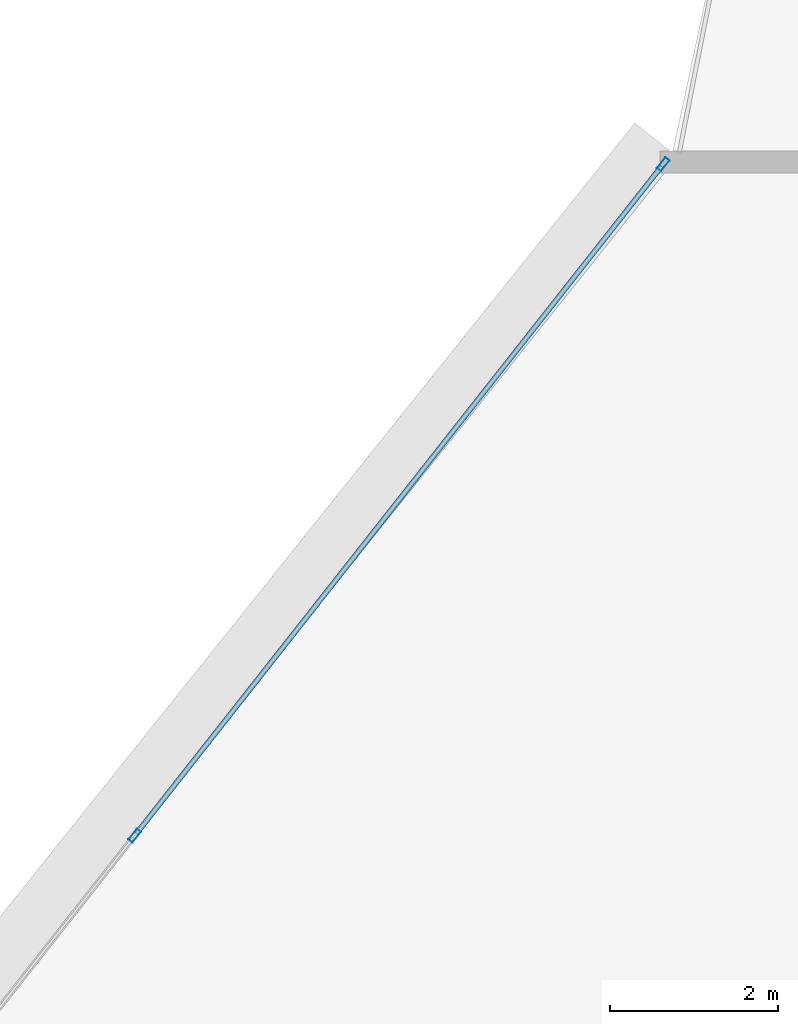
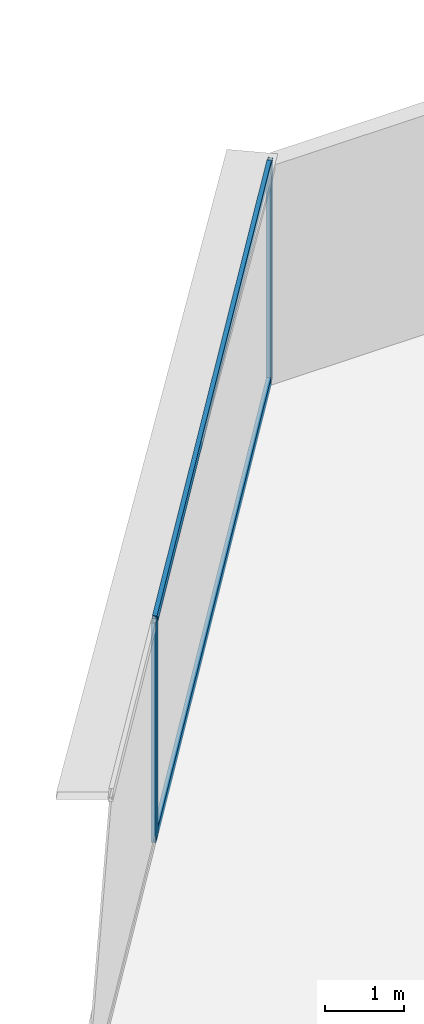
# One storey, part 25 of 38: 4 members, 1 element without a shape of its own.
"""IFC4 building model written with IfcOpenShell, lengths in metres."""

from ifc_helpers import new_model, si_unit, direction, frame, origin, origin_2d, place, context, subcontext, project, spatial, hollow_rectangle, extrude, source, transform, mapped, material, layer, layer_set, material_profile, profile_set, type_object, element, aggregate, save


model = new_model("IFC4")

# Units and contexts
model_context = context("Model", 3, precision=1e-05, world=origin(), true_north=direction((0.0, 1.0)))
body_context = subcontext(model_context, "Body", "Model", "MODEL_VIEW")
ifc_project = project(units=[si_unit("LENGTHUNIT", "METRE"), si_unit("AREAUNIT", "SQUARE_METRE"), si_unit("VOLUMEUNIT", "CUBIC_METRE"), si_unit("PLANEANGLEUNIT", "RADIAN"), si_unit("MASSUNIT", "GRAM", prefix="KILO"), si_unit("THERMODYNAMICTEMPERATUREUNIT", "KELVIN"), si_unit("POWERUNIT", "WATT")], contexts=[model_context])

# Site, building, storey
site_placement = place(None, origin())
site = spatial("IfcSite", under=ifc_project, at=site_placement, CompositionType="ELEMENT")
building_placement = place(site_placement, origin())
building = spatial("IfcBuilding", under=site, at=building_placement, Name="Yunzhuo Pagoda Commons", CompositionType="ELEMENT")
storey_placement = place(building_placement, frame((0.0, 0.0, 34.030029296875)))
storey = spatial("IfcBuildingStorey", under=building, at=storey_placement, Name="L08", CompositionType="ELEMENT", Elevation=34.030029296875)

# Curtain wall, members
ifc_material = material(Name="Anodized aluminium 6063-T6", Category="aluminium")
ifc_layer = layer(ifc_material, 0.1650390625)
ifc_layer_set = layer_set([ifc_layer], Name="Anodized aluminium 6063-T6")
curtain_wall_type = type_object("IfcCurtainWallType", Name="CW-LOW Low-Zone Ribbon Curtain Wall", PredefinedType="NOTDEFINED", material=ifc_layer_set)
curtain_wall_placement = place(storey_placement, origin())
curtain_wall = element("IfcCurtainWall", 1, at=curtain_wall_placement, inside=storey, type_object=curtain_wall_type, Name="L08 curtain wall CW-L08-F3B1", PredefinedType="NOTDEFINED")
ifc_material_profile_1 = material_profile(ifc_material, hollow_rectangle(XDim=0.06005859375, YDim=0.139892578125, WallThickness=0.00341796875, at=origin_2d()), Name="Anodized aluminium 6063-T6")
ifc_profile_set_1 = profile_set([ifc_material_profile_1], Name="Anodized aluminium 6063-T6")
member_type_1 = type_object("IfcMemberType", Name="CW-LOW-T Transom RHS 140x60x3.5", PredefinedType="USERDEFINED", material=ifc_profile_set_1)
shared_shape_1 = source(origin(), body_context, "Body", "SweptSolid", [
    extrude(hollow_rectangle(XDim=0.06005859375, YDim=0.139892578125, WallThickness=0.00341796875, at=origin_2d()), origin(), (0.0, 0.0, 1.0), 10.11669921875),
])
member_1_placement = place(storey_placement, frame((43.201171875, 88.929931640625, 0.030029296875), z_axis=(-0.618471475788, -0.785807249672, 0.0), x_axis=(0.785807249672, -0.618471475788, 0.0)))
member_1 = element("IfcMember", 2, at=member_1_placement, type_object=member_type_1, Name="CW transom 1.1", ObjectType="TRANSOM", PredefinedType="USERDEFINED", context=body_context, shape_type="MappedRepresentation", body=[
    mapped(shared_shape_1, transform((0.0, 0.0, 0.0), scale=1.0)),
])
member_2_placement = place(storey_placement, frame((43.201171875, 88.929931640625, 3.340087890625), z_axis=(-0.618471475788, -0.785807249672, 0.0), x_axis=(0.785807249672, -0.618471475788, 0.0)))
member_2 = element("IfcMember", 3, at=member_2_placement, type_object=member_type_1, Name="CW transom 1.2", ObjectType="TRANSOM", PredefinedType="USERDEFINED", context=body_context, shape_type="MappedRepresentation", body=[
    mapped(shared_shape_1, transform((0.0, 0.0, 0.0), scale=1.0)),
])
ifc_material_profile_2 = material_profile(ifc_material, hollow_rectangle(XDim=0.06494140625, YDim=0.1650390625, WallThickness=0.00390625, at=origin_2d()), Name="Anodized aluminium 6063-T6")
ifc_profile_set_2 = profile_set([ifc_material_profile_2], Name="Anodized aluminium 6063-T6")
member_type_2 = type_object("IfcMemberType", Name="CW-LOW-M Mullion RHS 165x65x4", PredefinedType="MULLION", material=ifc_profile_set_2)
shared_shape_2 = source(origin(), body_context, "Body", "SweptSolid", [
    extrude(hollow_rectangle(XDim=0.06494140625, YDim=0.1650390625, WallThickness=0.00390625, at=origin_2d()), origin(), (0.0, 0.0, 1.0), 3.369873046875),
])
member_3_placement = place(storey_placement, frame((43.22119140625, 88.955322265625, 0.0), z_axis=(0.0, 0.0, 1.0), x_axis=(0.785799632369, -0.618481153932, 0.0)))
member_3 = element("IfcMember", 4, at=member_3_placement, type_object=member_type_2, Name="CW mullion 1", PredefinedType="MULLION", context=body_context, shape_type="MappedRepresentation", body=[
    mapped(shared_shape_2, transform((0.0, 0.0, 0.0), scale=1.0)),
])
member_4_placement = place(storey_placement, frame((36.92431640625, 80.95458984375, 0.0), z_axis=(0.0, 0.0, 1.0), x_axis=(0.785799632369, -0.618481153932, 0.0)))
member_4 = element("IfcMember", 5, at=member_4_placement, type_object=member_type_2, Name="CW mullion 2", PredefinedType="MULLION", context=body_context, shape_type="MappedRepresentation", body=[
    mapped(shared_shape_2, transform((0.0, 0.0, 0.0), scale=1.0)),
])
aggregate(curtain_wall, [member_3, member_4, member_1, member_2])

save(model, "model.ifc")
